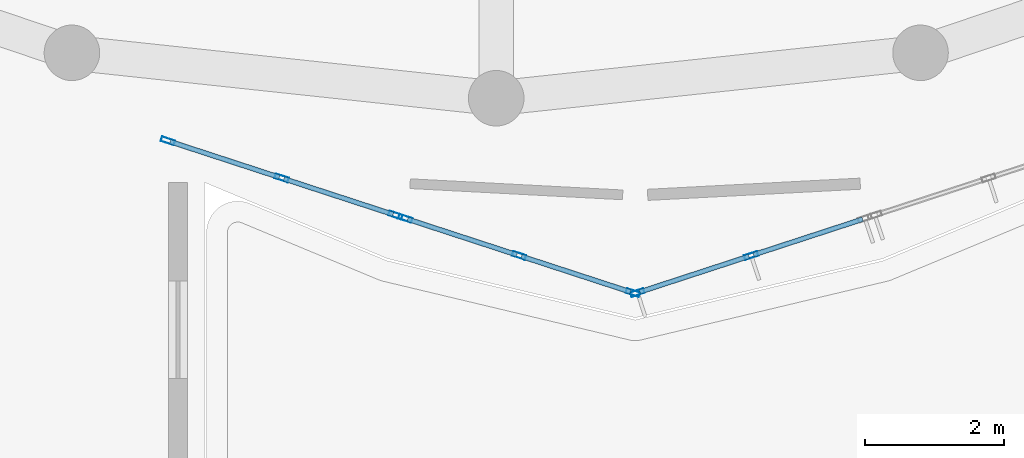
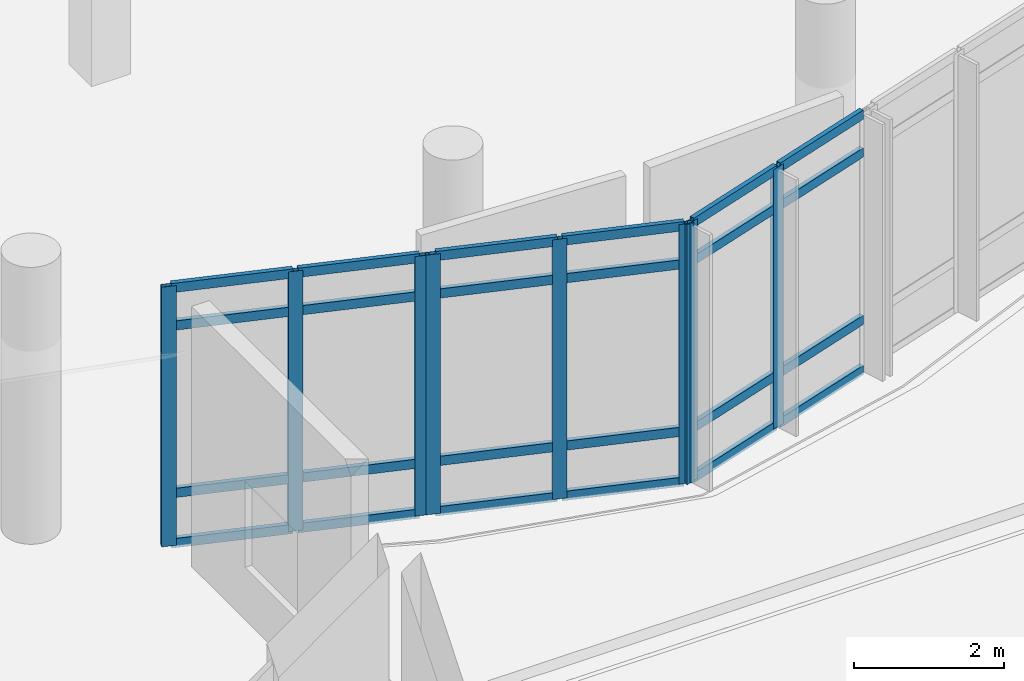
# One storey, part 3 of 46: 32 members, 3 elements without a shape of their own.
"""IFC4 building model written with IfcOpenShell, lengths in metres."""

from ifc_helpers import new_model, si_unit, derived_unit, direction, frame, origin, origin_2d, place, context, subcontext, project, spatial, hollow_rectangle, extrude, material, layer, layer_set, material_profile, profile_set, type_object, element, aggregate, save


model = new_model("IFC4")

# Units and contexts
model_context = context("Model", 3, precision=1e-05, world=origin(), true_north=direction((0.0, 1.0)))
body_context = subcontext(model_context, "Body", "Model", "MODEL_VIEW")
ifc_project = project(units=[si_unit("LENGTHUNIT", "METRE"), si_unit("AREAUNIT", "SQUARE_METRE"), si_unit("VOLUMEUNIT", "CUBIC_METRE"), si_unit("PLANEANGLEUNIT", "RADIAN"), si_unit("MASSUNIT", "GRAM", prefix="KILO"), derived_unit("THERMALTRANSMITTANCEUNIT", [(si_unit("POWERUNIT", "WATT"), 1), (si_unit("LENGTHUNIT", "METRE"), -2), (si_unit("THERMODYNAMICTEMPERATUREUNIT", "KELVIN"), -1)])], contexts=[model_context])

# Site, building, storey
site_placement = place(None, origin())
site = spatial("IfcSite", under=ifc_project, at=site_placement, CompositionType="ELEMENT")
building_placement = place(site_placement, origin())
building = spatial("IfcBuilding", under=site, at=building_placement, Name="Elbkamm Science Centre", CompositionType="ELEMENT")
storey_placement = place(building_placement, frame((0.0, 0.0, 9.89990234375)))
storey = spatial("IfcBuildingStorey", under=building, at=storey_placement, Name="L02", CompositionType="ELEMENT", Elevation=9.89990234375)

# Curtain wall, members
ifc_material_1 = material(Name="Powder-coated aluminium and triple low-E glazing", Category="aluminium")
ifc_layer = layer(ifc_material_1, 0.159912109375)
ifc_layer_set = layer_set([ifc_layer], Name="Powder-coated aluminium and triple low-E glazing")
curtain_wall_type = type_object("IfcCurtainWallType", Name="CW-UNIT-3520x4220", PredefinedType="USERDEFINED", material=ifc_layer_set)
curtain_wall_1_placement = place(storey_placement, origin())
curtain_wall_1 = element("IfcCurtainWall", 1, at=curtain_wall_1_placement, inside=storey, type_object=curtain_wall_type, Name="L02 Unitised Curtain Wall 040", ObjectType="UNITISED CURTAIN WALL", PredefinedType="USERDEFINED")
ifc_material_2 = material(Name="Powder-coated aluminium EN AW-6060", Category="aluminium")
ifc_material_profile_1 = material_profile(ifc_material_2, hollow_rectangle(XDim=0.070068359375, YDim=0.199951171875, WallThickness=0.00439453125, at=origin_2d()), Name="ALU M70x200")
ifc_profile_set_1 = profile_set([ifc_material_profile_1], Name="Powder-coated aluminium EN AW-6060")
member_type_1 = type_object("IfcMemberType", Name="CW-MUL-70x200", PredefinedType="MULLION", material=ifc_profile_set_1)
member_1_placement = place(storey_placement, frame((58.27392578125, 47.385986328125, 0.0), z_axis=(0.0, 0.0, 1.0), x_axis=(0.31036715573, 0.950616762236, 0.0)))
member_1 = element("IfcMember", 2, at=member_1_placement, type_object=member_type_1, Name="CW-018 mullion 1", PredefinedType="MULLION", context=body_context, shape_type="SweptSolid", body=[
    extrude(hollow_rectangle(XDim=0.070068359375, YDim=0.199951171875, WallThickness=0.00439453125, at=origin_2d()), origin(), (0.0, 0.0, 1.0), 4.22021484375),
])
member_2_placement = place(storey_placement, frame((59.91162109375, 46.851318359375, 0.0), z_axis=(0.0, 0.0, 1.0), x_axis=(0.31036715573, 0.950616762236, 0.0)))
member_2 = element("IfcMember", 3, at=member_2_placement, type_object=member_type_1, Name="CW-018 mullion 2", PredefinedType="MULLION", context=body_context, shape_type="SweptSolid", body=[
    extrude(hollow_rectangle(XDim=0.070068359375, YDim=0.199951171875, WallThickness=0.00439453125, at=origin_2d()), origin(), (0.0, 0.0, 1.0), 4.22021484375),
])
member_3_placement = place(storey_placement, frame((61.549072265625, 46.316650390625, 0.0), z_axis=(0.0, 0.0, 1.0), x_axis=(0.31036715573, 0.950616762236, 0.0)))
member_3 = element("IfcMember", 4, at=member_3_placement, type_object=member_type_1, Name="CW-018 mullion 3", PredefinedType="MULLION", context=body_context, shape_type="SweptSolid", body=[
    extrude(hollow_rectangle(XDim=0.070068359375, YDim=0.199951171875, WallThickness=0.00439453125, at=origin_2d()), origin(), (0.0, 0.0, 1.0), 4.22021484375),
])

curtain_wall_2_placement = place(storey_placement, origin())
curtain_wall_2 = element("IfcCurtainWall", 5, at=curtain_wall_2_placement, inside=storey, type_object=curtain_wall_type, Name="L02 Unitised Curtain Wall 041", ObjectType="UNITISED CURTAIN WALL", PredefinedType="USERDEFINED")
member_4_placement = place(storey_placement, frame((61.691650390625, 46.27001953125, 0.0), z_axis=(0.0, 0.0, 1.0), x_axis=(0.31036715573, 0.950616762236, 0.0)))
member_4 = element("IfcMember", 6, at=member_4_placement, type_object=member_type_1, Name="CW-018 mullion 1", PredefinedType="MULLION", context=body_context, shape_type="SweptSolid", body=[
    extrude(hollow_rectangle(XDim=0.070068359375, YDim=0.199951171875, WallThickness=0.00439453125, at=origin_2d()), origin(), (0.0, 0.0, 1.0), 4.22021484375),
])
member_5_placement = place(storey_placement, frame((63.3291015625, 45.735595703125, 0.0), z_axis=(0.0, 0.0, 1.0), x_axis=(0.31036715573, 0.950616762236, 0.0)))
member_5 = element("IfcMember", 7, at=member_5_placement, type_object=member_type_1, Name="CW-018 mullion 2", PredefinedType="MULLION", context=body_context, shape_type="SweptSolid", body=[
    extrude(hollow_rectangle(XDim=0.070068359375, YDim=0.199951171875, WallThickness=0.00439453125, at=origin_2d()), origin(), (0.0, 0.0, 1.0), 4.22021484375),
])
member_6_placement = place(storey_placement, frame((64.966796875, 45.200927734375, 0.0), z_axis=(0.0, 0.0, 1.0), x_axis=(0.31036715573, 0.950616762236, 0.0)))
member_6 = element("IfcMember", 8, at=member_6_placement, type_object=member_type_1, Name="CW-018 mullion 3", PredefinedType="MULLION", context=body_context, shape_type="SweptSolid", body=[
    extrude(hollow_rectangle(XDim=0.070068359375, YDim=0.199951171875, WallThickness=0.00439453125, at=origin_2d()), origin(), (0.0, 0.0, 1.0), 4.22021484375),
])

curtain_wall_3_placement = place(storey_placement, origin())
curtain_wall_3 = element("IfcCurtainWall", 9, at=curtain_wall_3_placement, inside=storey, type_object=curtain_wall_type, Name="L02 Unitised Curtain Wall 042", ObjectType="UNITISED CURTAIN WALL", PredefinedType="USERDEFINED")
member_7_placement = place(storey_placement, frame((65.033203125, 45.200927734375, 0.0), z_axis=(0.0, 0.0, 1.0), x_axis=(-0.31036715573, 0.950616762236, 0.0)))
member_7 = element("IfcMember", 10, at=member_7_placement, type_object=member_type_1, Name="CW-018 mullion 1", PredefinedType="MULLION", context=body_context, shape_type="SweptSolid", body=[
    extrude(hollow_rectangle(XDim=0.070068359375, YDim=0.199951171875, WallThickness=0.00439453125, at=origin_2d()), origin(), (0.0, 0.0, 1.0), 4.22021484375),
])
member_8_placement = place(storey_placement, frame((66.6708984375, 45.735595703125, 0.0), z_axis=(0.0, 0.0, 1.0), x_axis=(-0.31036715573, 0.950616762236, 0.0)))
member_8 = element("IfcMember", 11, at=member_8_placement, type_object=member_type_1, Name="CW-018 mullion 2", PredefinedType="MULLION", context=body_context, shape_type="SweptSolid", body=[
    extrude(hollow_rectangle(XDim=0.070068359375, YDim=0.199951171875, WallThickness=0.00439453125, at=origin_2d()), origin(), (0.0, 0.0, 1.0), 4.22021484375),
])

# Member
ifc_material_profile_2 = material_profile(ifc_material_2, hollow_rectangle(XDim=0.070068359375, YDim=0.14990234375, WallThickness=0.00390625, at=origin_2d()), Name="ALU T70x150")
ifc_profile_set_2 = profile_set([ifc_material_profile_2], Name="Powder-coated aluminium EN AW-6060")
member_type_2 = type_object("IfcMemberType", Name="CW-TRN-70x150", PredefinedType="USERDEFINED", material=ifc_profile_set_2)
member_9_placement = place(storey_placement, frame((58.30712890625, 47.375, 0.03515625), z_axis=(0.950615241391, -0.310371813856, 0.0), x_axis=(0.310371813856, 0.950615241391, 0.0)))
member_9 = element("IfcMember", 12, at=member_9_placement, type_object=member_type_2, Name="CW-018 transom 1.1", ObjectType="TRANSOM", PredefinedType="USERDEFINED", context=body_context, shape_type="SweptSolid", body=[
    extrude(hollow_rectangle(XDim=0.070068359375, YDim=0.14990234375, WallThickness=0.00390625, at=origin_2d()), origin(), (0.0, 0.0, 1.0), 1.652587890625),
])

member_10_placement = place(storey_placement, frame((58.30712890625, 47.375, 0.85009765625), z_axis=(0.950615241391, -0.310371813856, 0.0), x_axis=(0.310371813856, 0.950615241391, 0.0)))
member_10 = element("IfcMember", 13, at=member_10_placement, type_object=member_type_2, Name="CW-018 transom 1.2", ObjectType="TRANSOM", PredefinedType="USERDEFINED", context=body_context, shape_type="SweptSolid", body=[
    extrude(hollow_rectangle(XDim=0.070068359375, YDim=0.14990234375, WallThickness=0.00390625, at=origin_2d()), origin(), (0.0, 0.0, 1.0), 1.652587890625),
])

member_11_placement = place(storey_placement, frame((58.30712890625, 47.375, 3.570068359375), z_axis=(0.950615241391, -0.310371813856, 0.0), x_axis=(0.310371813856, 0.950615241391, 0.0)))
member_11 = element("IfcMember", 14, at=member_11_placement, type_object=member_type_2, Name="CW-018 transom 1.3", ObjectType="TRANSOM", PredefinedType="USERDEFINED", context=body_context, shape_type="SweptSolid", body=[
    extrude(hollow_rectangle(XDim=0.070068359375, YDim=0.14990234375, WallThickness=0.00390625, at=origin_2d()), origin(), (0.0, 0.0, 1.0), 1.652587890625),
])

member_12_placement = place(storey_placement, frame((58.30712890625, 47.375, 4.18505859375), z_axis=(0.950615241391, -0.310371813856, 0.0), x_axis=(0.310371813856, 0.950615241391, 0.0)))
member_12 = element("IfcMember", 15, at=member_12_placement, type_object=member_type_2, Name="CW-018 transom 1.4", ObjectType="TRANSOM", PredefinedType="USERDEFINED", context=body_context, shape_type="SweptSolid", body=[
    extrude(hollow_rectangle(XDim=0.070068359375, YDim=0.14990234375, WallThickness=0.00390625, at=origin_2d()), origin(), (0.0, 0.0, 1.0), 1.652587890625),
])

member_13_placement = place(storey_placement, frame((59.94482421875, 46.84033203125, 0.03515625), z_axis=(0.950658819638, -0.310238309439, 0.0), x_axis=(0.310238309439, 0.950658819638, 0.0)))
member_13 = element("IfcMember", 16, at=member_13_placement, type_object=member_type_2, Name="CW-018 transom 2.1", ObjectType="TRANSOM", PredefinedType="USERDEFINED", context=body_context, shape_type="SweptSolid", body=[
    extrude(hollow_rectangle(XDim=0.070068359375, YDim=0.14990234375, WallThickness=0.00390625, at=origin_2d()), origin(), (0.0, 0.0, 1.0), 1.652587890625),
])

member_14_placement = place(storey_placement, frame((59.94482421875, 46.84033203125, 0.85009765625), z_axis=(0.950658819638, -0.310238309439, 0.0), x_axis=(0.310238309439, 0.950658819638, 0.0)))
member_14 = element("IfcMember", 17, at=member_14_placement, type_object=member_type_2, Name="CW-018 transom 2.2", ObjectType="TRANSOM", PredefinedType="USERDEFINED", context=body_context, shape_type="SweptSolid", body=[
    extrude(hollow_rectangle(XDim=0.070068359375, YDim=0.14990234375, WallThickness=0.00390625, at=origin_2d()), origin(), (0.0, 0.0, 1.0), 1.652587890625),
])

member_15_placement = place(storey_placement, frame((59.94482421875, 46.84033203125, 3.570068359375), z_axis=(0.950658819638, -0.310238309439, 0.0), x_axis=(0.310238309439, 0.950658819638, 0.0)))
member_15 = element("IfcMember", 18, at=member_15_placement, type_object=member_type_2, Name="CW-018 transom 2.3", ObjectType="TRANSOM", PredefinedType="USERDEFINED", context=body_context, shape_type="SweptSolid", body=[
    extrude(hollow_rectangle(XDim=0.070068359375, YDim=0.14990234375, WallThickness=0.00390625, at=origin_2d()), origin(), (0.0, 0.0, 1.0), 1.652587890625),
])

member_16_placement = place(storey_placement, frame((59.94482421875, 46.84033203125, 4.18505859375), z_axis=(0.950658819638, -0.310238309439, 0.0), x_axis=(0.310238309439, 0.950658819638, 0.0)))
member_16 = element("IfcMember", 19, at=member_16_placement, type_object=member_type_2, Name="CW-018 transom 2.4", ObjectType="TRANSOM", PredefinedType="USERDEFINED", context=body_context, shape_type="SweptSolid", body=[
    extrude(hollow_rectangle(XDim=0.070068359375, YDim=0.14990234375, WallThickness=0.00390625, at=origin_2d()), origin(), (0.0, 0.0, 1.0), 1.652587890625),
])

aggregate(curtain_wall_1, [member_1, member_2, member_3, member_9, member_10, member_11, member_12, member_13, member_14, member_15, member_16])

member_17_placement = place(storey_placement, frame((61.724853515625, 46.25927734375, 0.03515625), z_axis=(0.950615241391, -0.310371813856, 0.0), x_axis=(0.310371813856, 0.950615241391, 0.0)))
member_17 = element("IfcMember", 20, at=member_17_placement, type_object=member_type_2, Name="CW-018 transom 1.1", ObjectType="TRANSOM", PredefinedType="USERDEFINED", context=body_context, shape_type="SweptSolid", body=[
    extrude(hollow_rectangle(XDim=0.070068359375, YDim=0.14990234375, WallThickness=0.00390625, at=origin_2d()), origin(), (0.0, 0.0, 1.0), 1.652587890625),
])

member_18_placement = place(storey_placement, frame((61.724853515625, 46.25927734375, 0.85009765625), z_axis=(0.950615241391, -0.310371813856, 0.0), x_axis=(0.310371813856, 0.950615241391, 0.0)))
member_18 = element("IfcMember", 21, at=member_18_placement, type_object=member_type_2, Name="CW-018 transom 1.2", ObjectType="TRANSOM", PredefinedType="USERDEFINED", context=body_context, shape_type="SweptSolid", body=[
    extrude(hollow_rectangle(XDim=0.070068359375, YDim=0.14990234375, WallThickness=0.00390625, at=origin_2d()), origin(), (0.0, 0.0, 1.0), 1.652587890625),
])

member_19_placement = place(storey_placement, frame((61.724853515625, 46.25927734375, 3.570068359375), z_axis=(0.950615241391, -0.310371813856, 0.0), x_axis=(0.310371813856, 0.950615241391, 0.0)))
member_19 = element("IfcMember", 22, at=member_19_placement, type_object=member_type_2, Name="CW-018 transom 1.3", ObjectType="TRANSOM", PredefinedType="USERDEFINED", context=body_context, shape_type="SweptSolid", body=[
    extrude(hollow_rectangle(XDim=0.070068359375, YDim=0.14990234375, WallThickness=0.00390625, at=origin_2d()), origin(), (0.0, 0.0, 1.0), 1.652587890625),
])

member_20_placement = place(storey_placement, frame((61.724853515625, 46.25927734375, 4.18505859375), z_axis=(0.950615241391, -0.310371813856, 0.0), x_axis=(0.310371813856, 0.950615241391, 0.0)))
member_20 = element("IfcMember", 23, at=member_20_placement, type_object=member_type_2, Name="CW-018 transom 1.4", ObjectType="TRANSOM", PredefinedType="USERDEFINED", context=body_context, shape_type="SweptSolid", body=[
    extrude(hollow_rectangle(XDim=0.070068359375, YDim=0.14990234375, WallThickness=0.00390625, at=origin_2d()), origin(), (0.0, 0.0, 1.0), 1.652587890625),
])

member_21_placement = place(storey_placement, frame((63.362548828125, 45.724609375, 0.03515625), z_axis=(0.950601007872, -0.310415405275, 0.0), x_axis=(0.310415405275, 0.950601007872, 0.0)))
member_21 = element("IfcMember", 24, at=member_21_placement, type_object=member_type_2, Name="CW-018 transom 2.1", ObjectType="TRANSOM", PredefinedType="USERDEFINED", context=body_context, shape_type="SweptSolid", body=[
    extrude(hollow_rectangle(XDim=0.070068359375, YDim=0.14990234375, WallThickness=0.00390625, at=origin_2d()), origin(), (0.0, 0.0, 1.0), 1.65234375),
])

member_22_placement = place(storey_placement, frame((63.362548828125, 45.724609375, 0.85009765625), z_axis=(0.950601007872, -0.310415405275, 0.0), x_axis=(0.310415405275, 0.950601007872, 0.0)))
member_22 = element("IfcMember", 25, at=member_22_placement, type_object=member_type_2, Name="CW-018 transom 2.2", ObjectType="TRANSOM", PredefinedType="USERDEFINED", context=body_context, shape_type="SweptSolid", body=[
    extrude(hollow_rectangle(XDim=0.070068359375, YDim=0.14990234375, WallThickness=0.00390625, at=origin_2d()), origin(), (0.0, 0.0, 1.0), 1.65234375),
])

member_23_placement = place(storey_placement, frame((63.362548828125, 45.724609375, 3.570068359375), z_axis=(0.950601007872, -0.310415405275, 0.0), x_axis=(0.310415405275, 0.950601007872, 0.0)))
member_23 = element("IfcMember", 26, at=member_23_placement, type_object=member_type_2, Name="CW-018 transom 2.3", ObjectType="TRANSOM", PredefinedType="USERDEFINED", context=body_context, shape_type="SweptSolid", body=[
    extrude(hollow_rectangle(XDim=0.070068359375, YDim=0.14990234375, WallThickness=0.00390625, at=origin_2d()), origin(), (0.0, 0.0, 1.0), 1.65234375),
])

member_24_placement = place(storey_placement, frame((63.362548828125, 45.724609375, 4.18505859375), z_axis=(0.950601007872, -0.310415405275, 0.0), x_axis=(0.310415405275, 0.950601007872, 0.0)))
member_24 = element("IfcMember", 27, at=member_24_placement, type_object=member_type_2, Name="CW-018 transom 2.4", ObjectType="TRANSOM", PredefinedType="USERDEFINED", context=body_context, shape_type="SweptSolid", body=[
    extrude(hollow_rectangle(XDim=0.070068359375, YDim=0.14990234375, WallThickness=0.00390625, at=origin_2d()), origin(), (0.0, 0.0, 1.0), 1.65234375),
])

aggregate(curtain_wall_2, [member_4, member_5, member_6, member_17, member_18, member_19, member_20, member_21, member_22, member_23, member_24])

member_25_placement = place(storey_placement, frame((65.066650390625, 45.211669921875, 0.03515625), z_axis=(0.950601007872, 0.310415405275, 0.0), x_axis=(-0.310415405275, 0.950601007872, 0.0)))
member_25 = element("IfcMember", 28, at=member_25_placement, type_object=member_type_2, Name="CW-018 transom 1.1", ObjectType="TRANSOM", PredefinedType="USERDEFINED", context=body_context, shape_type="SweptSolid", body=[
    extrude(hollow_rectangle(XDim=0.070068359375, YDim=0.14990234375, WallThickness=0.00390625, at=origin_2d()), origin(), (0.0, 0.0, 1.0), 1.65234375),
])

member_26_placement = place(storey_placement, frame((65.066650390625, 45.211669921875, 0.85009765625), z_axis=(0.950601007872, 0.310415405275, 0.0), x_axis=(-0.310415405275, 0.950601007872, 0.0)))
member_26 = element("IfcMember", 29, at=member_26_placement, type_object=member_type_2, Name="CW-018 transom 1.2", ObjectType="TRANSOM", PredefinedType="USERDEFINED", context=body_context, shape_type="SweptSolid", body=[
    extrude(hollow_rectangle(XDim=0.070068359375, YDim=0.14990234375, WallThickness=0.00390625, at=origin_2d()), origin(), (0.0, 0.0, 1.0), 1.65234375),
])

member_27_placement = place(storey_placement, frame((65.066650390625, 45.211669921875, 3.570068359375), z_axis=(0.950601007872, 0.310415405275, 0.0), x_axis=(-0.310415405275, 0.950601007872, 0.0)))
member_27 = element("IfcMember", 30, at=member_27_placement, type_object=member_type_2, Name="CW-018 transom 1.3", ObjectType="TRANSOM", PredefinedType="USERDEFINED", context=body_context, shape_type="SweptSolid", body=[
    extrude(hollow_rectangle(XDim=0.070068359375, YDim=0.14990234375, WallThickness=0.00390625, at=origin_2d()), origin(), (0.0, 0.0, 1.0), 1.65234375),
])

member_28_placement = place(storey_placement, frame((65.066650390625, 45.211669921875, 4.18505859375), z_axis=(0.950601007872, 0.310415405275, 0.0), x_axis=(-0.310415405275, 0.950601007872, 0.0)))
member_28 = element("IfcMember", 31, at=member_28_placement, type_object=member_type_2, Name="CW-018 transom 1.4", ObjectType="TRANSOM", PredefinedType="USERDEFINED", context=body_context, shape_type="SweptSolid", body=[
    extrude(hollow_rectangle(XDim=0.070068359375, YDim=0.14990234375, WallThickness=0.00390625, at=origin_2d()), origin(), (0.0, 0.0, 1.0), 1.65234375),
])

member_29_placement = place(storey_placement, frame((66.7041015625, 45.746337890625, 0.03515625), z_axis=(0.950615241391, 0.310371813856, 0.0), x_axis=(-0.310371813856, 0.950615241391, 0.0)))
member_29 = element("IfcMember", 32, at=member_29_placement, type_object=member_type_2, Name="CW-018 transom 2.1", ObjectType="TRANSOM", PredefinedType="USERDEFINED", context=body_context, shape_type="SweptSolid", body=[
    extrude(hollow_rectangle(XDim=0.070068359375, YDim=0.14990234375, WallThickness=0.00390625, at=origin_2d()), origin(), (0.0, 0.0, 1.0), 1.652587890625),
])

member_30_placement = place(storey_placement, frame((66.7041015625, 45.746337890625, 0.85009765625), z_axis=(0.950615241391, 0.310371813856, 0.0), x_axis=(-0.310371813856, 0.950615241391, 0.0)))
member_30 = element("IfcMember", 33, at=member_30_placement, type_object=member_type_2, Name="CW-018 transom 2.2", ObjectType="TRANSOM", PredefinedType="USERDEFINED", context=body_context, shape_type="SweptSolid", body=[
    extrude(hollow_rectangle(XDim=0.070068359375, YDim=0.14990234375, WallThickness=0.00390625, at=origin_2d()), origin(), (0.0, 0.0, 1.0), 1.652587890625),
])

member_31_placement = place(storey_placement, frame((66.7041015625, 45.746337890625, 3.570068359375), z_axis=(0.950615241391, 0.310371813856, 0.0), x_axis=(-0.310371813856, 0.950615241391, 0.0)))
member_31 = element("IfcMember", 34, at=member_31_placement, type_object=member_type_2, Name="CW-018 transom 2.3", ObjectType="TRANSOM", PredefinedType="USERDEFINED", context=body_context, shape_type="SweptSolid", body=[
    extrude(hollow_rectangle(XDim=0.070068359375, YDim=0.14990234375, WallThickness=0.00390625, at=origin_2d()), origin(), (0.0, 0.0, 1.0), 1.652587890625),
])

member_32_placement = place(storey_placement, frame((66.7041015625, 45.746337890625, 4.18505859375), z_axis=(0.950615241391, 0.310371813856, 0.0), x_axis=(-0.310371813856, 0.950615241391, 0.0)))
member_32 = element("IfcMember", 35, at=member_32_placement, type_object=member_type_2, Name="CW-018 transom 2.4", ObjectType="TRANSOM", PredefinedType="USERDEFINED", context=body_context, shape_type="SweptSolid", body=[
    extrude(hollow_rectangle(XDim=0.070068359375, YDim=0.14990234375, WallThickness=0.00390625, at=origin_2d()), origin(), (0.0, 0.0, 1.0), 1.652587890625),
])

aggregate(curtain_wall_3, [member_7, member_8, member_25, member_26, member_27, member_28, member_29, member_30, member_31, member_32])

save(model, "model.ifc")
